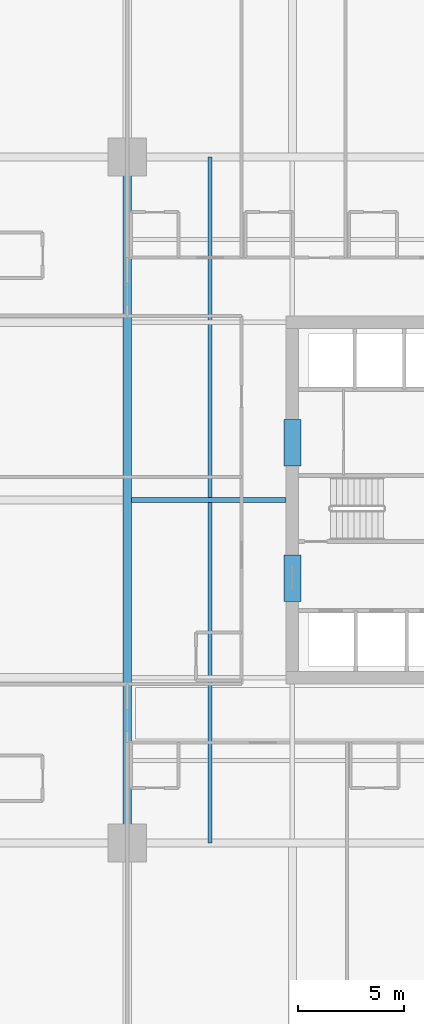
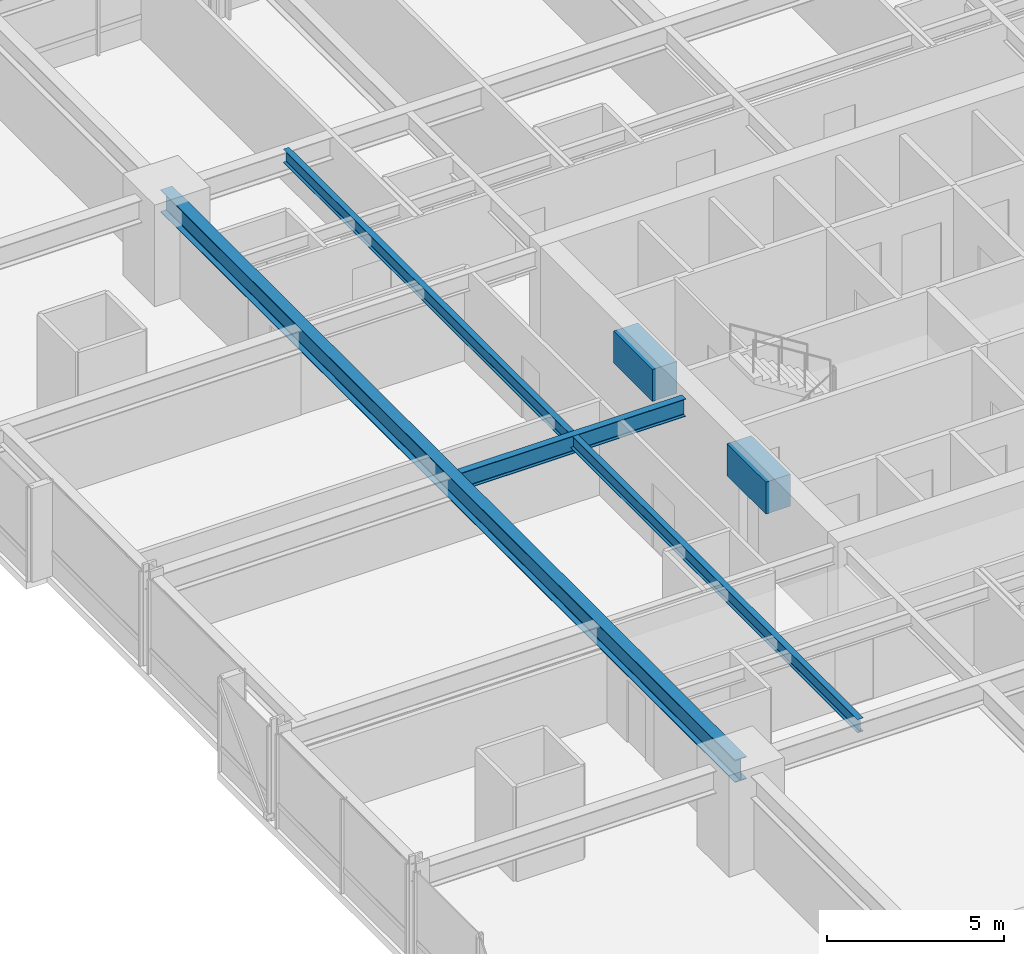
# One storey, part 10 of 38: 5 beams.
"""IFC4 building model written with IfcOpenShell, lengths in metres."""

from ifc_helpers import new_model, si_unit, direction, frame, origin, origin_2d, place, context, subcontext, project, spatial, rectangle, i_section, extrude, material, material_profile, profile_set, type_object, element, save


model = new_model("IFC4")

# Units and contexts
model_context = context("Model", 3, precision=1e-05, world=origin(), true_north=direction((0.0, 1.0)))
body_context = subcontext(model_context, "Body", "Model", "MODEL_VIEW")
ifc_project = project(units=[si_unit("LENGTHUNIT", "METRE"), si_unit("AREAUNIT", "SQUARE_METRE"), si_unit("VOLUMEUNIT", "CUBIC_METRE"), si_unit("PLANEANGLEUNIT", "RADIAN"), si_unit("MASSUNIT", "GRAM", prefix="KILO")], contexts=[model_context])

# Site, building, storey
site_placement = place(None, origin())
site = spatial("IfcSite", under=ifc_project, at=site_placement, CompositionType="ELEMENT")
building_placement = place(site_placement, origin())
building = spatial("IfcBuilding", under=site, at=building_placement, Name="Drelvath Grand Hotel", CompositionType="ELEMENT")
storey_placement = place(building_placement, frame((0.0, 0.0, 68.199951171875)))
storey = spatial("IfcBuildingStorey", under=building, at=storey_placement, Name="L16", CompositionType="ELEMENT", Elevation=68.199951171875)

# Beams
ifc_material_1 = material(Name="Steel ASTM A992 Gr 50", Category="steel")
ifc_material_profile_1 = material_profile(ifc_material_1, i_section(OverallWidth=0.19140625, OverallDepth=0.4599609375, WebThickness=0.010009765625, FlangeThickness=0.01611328125, FilletRadius=0.01611328125, at=origin_2d()), Name="W18X55")
ifc_profile_set_1 = profile_set([ifc_material_profile_1], Name="Steel ASTM A992 Gr 50")
beam_type_1 = type_object("IfcBeamType", Name="Composite Floor Joist W18X55", PredefinedType="JOIST", material=ifc_profile_set_1)
beam_1_placement = place(storey_placement, frame((-12.300048828125, 10.800048828125, 3.010009765625), z_axis=(0.0, 1.0, 0.0), x_axis=(-1.0, 0.0, 0.0)))
element("IfcBeam", 1, at=beam_1_placement, inside=storey, type_object=beam_type_1, Name="L16 Wing Floor Joist J3", PredefinedType="JOIST", context=body_context, shape_type="SweptSolid", body=[
    extrude(i_section(OverallWidth=0.19140625, OverallDepth=0.4599609375, WebThickness=0.010009765625, FlangeThickness=0.01611328125, FilletRadius=0.01611328125, at=origin_2d()), origin(), (0.0, 0.0, 1.0), 32.39990234375),
])
ifc_material_2 = material(Name="Concrete f'c 70 MPa", Category="concrete")
ifc_material_profile_2 = material_profile(ifc_material_2, rectangle(XDim=0.800048828125, YDim=1.10009765625, at=origin_2d()), Name="CB800X1100")
ifc_profile_set_2 = profile_set([ifc_material_profile_2], Name="Concrete f'c 70 MPa")
beam_type_2 = type_object("IfcBeamType", Name="Core Coupling Lintel CB800X1100", PredefinedType="LINTEL", material=ifc_profile_set_2)
for number, where, z_axis, x_axis, name in (
    (2, (-8.39990234375, 22.199951171875, 2.68994140625), (0.0, 1.0, 0.0), (-1.0, 0.0, 0.0), "L16 Core Coupling Lintel WS"),
    (3, (-8.39990234375, 28.60009765625, 2.68994140625), (0.0, 1.0, 0.0), (-1.0, 0.0, 0.0), "L16 Core Coupling Lintel WN"),
):
    element("IfcBeam", number, at=place(storey_placement, frame(where, z_axis=z_axis, x_axis=x_axis)), inside=storey, type_object=beam_type_2, Name=name, PredefinedType="LINTEL", context=body_context, shape_type="SweptSolid", body=[
        extrude(rectangle(XDim=0.800048828125, YDim=1.10009765625, at=origin_2d()), origin(), (0.0, 0.0, 1.0), 2.199951171875),
    ])
ifc_material_profile_3 = material_profile(ifc_material_1, i_section(OverallWidth=0.228271484375, OverallDepth=0.607666015625, WebThickness=0.01123046875, FlangeThickness=0.017333984375, FilletRadius=0.02001953125, at=origin_2d()), Name="W24X76")
ifc_profile_set_3 = profile_set([ifc_material_profile_3], Name="Steel ASTM A992 Gr 50")
beam_type_3 = type_object("IfcBeamType", Name="Primary Floor Girder W24X76", PredefinedType="BEAM", material=ifc_profile_set_3)
beam_2_placement = place(storey_placement, frame((-16.009765625, 27.0, 2.936279296875), z_axis=(1.0, 0.0, 0.0), x_axis=(0.0, 1.0, 0.0)))
element("IfcBeam", 4, at=beam_2_placement, inside=storey, type_object=beam_type_3, Name="L16 West Core Tie E", PredefinedType="BEAM", context=body_context, shape_type="SweptSolid", body=[
    extrude(i_section(OverallWidth=0.228271484375, OverallDepth=0.607666015625, WebThickness=0.01123046875, FlangeThickness=0.017333984375, FilletRadius=0.02001953125, at=origin_2d()), origin(), (0.0, 0.0, 1.0), 7.309814453125),
])
ifc_material_profile_4 = material_profile(ifc_material_1, i_section(OverallWidth=0.380615234375, OverallDepth=0.773193359375, WebThickness=0.0166015625, FlangeThickness=0.027099609375, FilletRadius=0.02490234375, at=origin_2d()), Name="W30X173")
ifc_profile_set_4 = profile_set([ifc_material_profile_4], Name="Steel ASTM A992 Gr 50")
beam_type_4 = type_object("IfcBeamType", Name="Primary Floor Girder W30X173", PredefinedType="BEAM", material=ifc_profile_set_4)
beam_3_placement = place(storey_placement, frame((-16.199951171875, 10.800048828125, 2.853515625), z_axis=(0.0, 1.0, 0.0), x_axis=(-1.0, 0.0, 0.0)))
element("IfcBeam", 5, at=beam_3_placement, inside=storey, type_object=beam_type_4, Name="L16 Mega Ring Girder West", PredefinedType="BEAM", context=body_context, shape_type="SweptSolid", body=[
    extrude(i_section(OverallWidth=0.380615234375, OverallDepth=0.773193359375, WebThickness=0.0166015625, FlangeThickness=0.027099609375, FilletRadius=0.02490234375, at=origin_2d()), origin(), (0.0, 0.0, 1.0), 32.39990234375),
])

save(model, "model.ifc")
